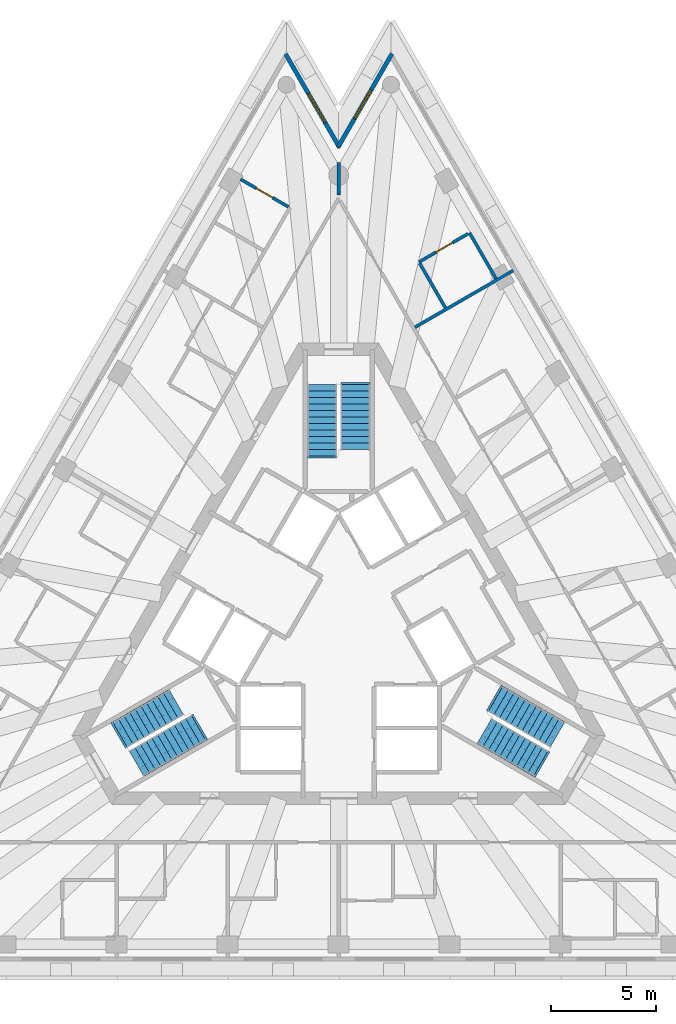
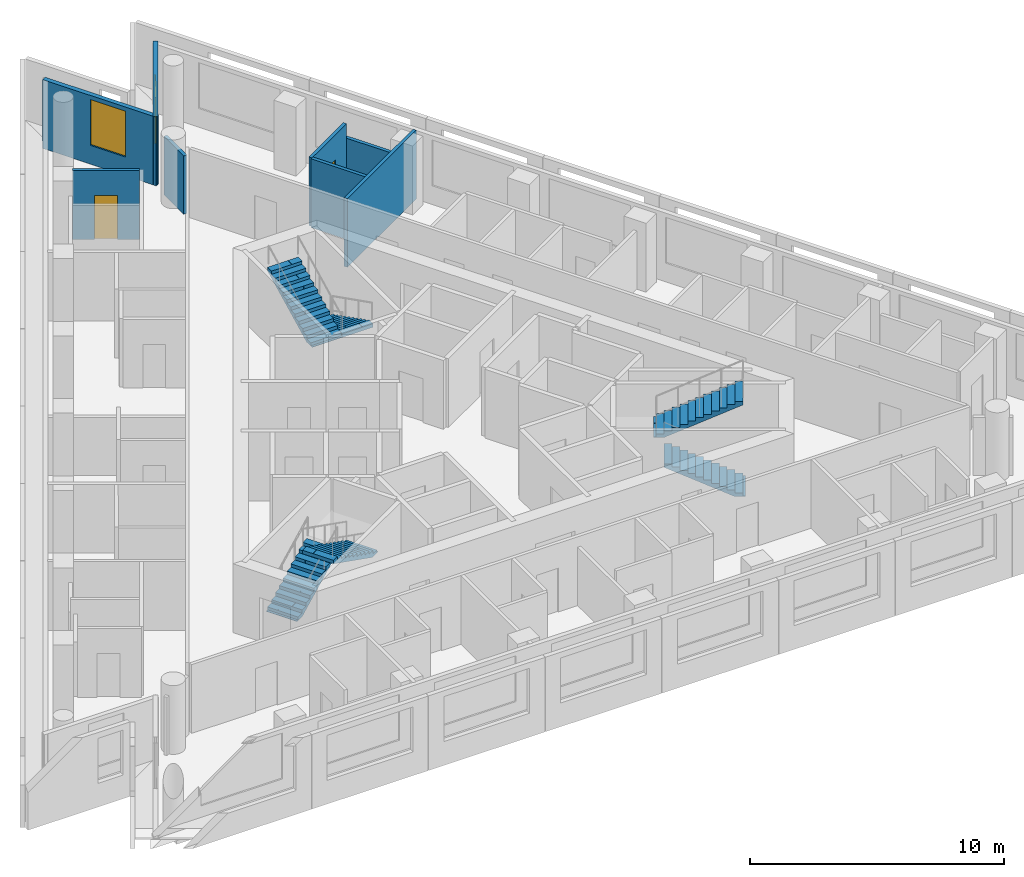
# One storey, part 8 of 11: 8 walls, 6 stair flights, 2 doors, 2 windows, 4 openings, 3 elements without a shape of their own.
"""IFC4 building model written with IfcOpenShell, lengths in metres."""

from ifc_helpers import new_model, si_unit, direction, frame, frame_2d, origin, place, context, subcontext, project, spatial, polyline, rectangle, outline, extrude, material, layer, layer_set, layer_usage, type_object, element, fill, aggregate, save


model = new_model("IFC4")

# Units and contexts
model_context = context("Model", 3, precision=1e-05, world=origin(), true_north=direction((0.0, 1.0)))
body_context = subcontext(model_context, "Body", "Model", "MODEL_VIEW")
ifc_project = project(units=[si_unit("LENGTHUNIT", "METRE"), si_unit("AREAUNIT", "SQUARE_METRE"), si_unit("VOLUMEUNIT", "CUBIC_METRE"), si_unit("PLANEANGLEUNIT", "RADIAN"), si_unit("MASSUNIT", "GRAM", prefix="KILO")], contexts=[model_context])

# Site, building, storey
site_placement = place(None, origin())
site = spatial("IfcSite", under=ifc_project, at=site_placement, CompositionType="ELEMENT")
building_placement = place(site_placement, origin())
building = spatial("IfcBuilding", under=site, at=building_placement, Name="Triada Interchange Tower", CompositionType="ELEMENT")
storey_placement = place(building_placement, frame((0.0, 0.0, 300.699951171875)))
storey = spatial("IfcBuildingStorey", under=building, at=storey_placement, Name="L71", CompositionType="ELEMENT", Elevation=300.699951171875)

# Wall, opening, window
ifc_material_1 = material(Name="Cement board")
ifc_layer_1 = layer(ifc_material_1, 0.02001953125, Name="Cement board cladding")
ifc_material_2 = material(Name="Sheathing board")
ifc_layer_2 = layer(ifc_material_2, 0.014892578125, Name="Sheathing board")
ifc_material_3 = material(Name="Mineral wool")
ifc_layer_3 = layer(ifc_material_3, 0.14990234375, Name="Mineral wool between steel studs")
ifc_material_4 = material(Name="Gypsum board")
ifc_layer_4 = layer(ifc_material_4, 0.014892578125, Name="Plasterboard lining")
ifc_layer_set_1 = layer_set([ifc_layer_1, ifc_layer_2, ifc_layer_3, ifc_layer_4], Name="External wall 200")
ifc_layer_usage = layer_usage(ifc_layer_set_1, "AXIS2", "POSITIVE", -0.10009765625)
wall_type_1 = type_object("IfcWallType", Name="External wall 200", PredefinedType="ELEMENTEDWALL", material=ifc_layer_set_1)
wall_1_placement = place(storey_placement, frame((2.54296875, 27.405029296875, 0.0), z_axis=(0.0, 0.0, 1.0), x_axis=(-0.49983036304, -0.866123321579, 0.0)))
wall_1 = element("IfcWall", 1, at=wall_1_placement, inside=storey, type_object=wall_type_1, material=ifc_layer_usage, Name="External wall L71 N-1", PredefinedType="ELEMENTEDWALL", context=body_context, shape_type="SweptSolid", body=[
    extrude(rectangle(XDim=5.157470703125, YDim=0.199951171875, at=frame_2d((2.57861328125, 0.0))), origin(), (0.0, 0.0, 1.0), 3.300048828125),
])
opening_1_placement = place(wall_1_placement, frame((1.989990234375, 0.0, 0.89990234375)))
opening_1 = element("IfcOpeningElement", 2, at=opening_1_placement, cuts=wall_1, Name="Opening WD29", PredefinedType="OPENING", context=body_context, shape_type="SweptSolid", body=[
    extrude(rectangle(XDim=1.60009765625, YDim=2.199951171875, at=frame_2d((0.800048828125, 1.10009765625))), frame((0.0, 0.10986328125, 0.0), z_axis=(0.0, -1.0, 0.0), x_axis=(1.0, 0.0, 0.0)), (0.0, 0.0, 1.0), 0.219970703125),
])
ifc_material_5 = material(Name="Double glazed aluminium window", Category="aluminium")
window_type = type_object("IfcWindowType", Name="Ribbon window D pocket", PartitioningType="SINGLE_PANEL", PredefinedType="WINDOW", material=ifc_material_5)
window_1_placement = place(opening_1_placement, origin())
window_1 = element("IfcWindow", 3, at=window_1_placement, inside=storey, type_object=window_type, Name="Window L71 N-1 1", OverallHeight=2.199951171875, OverallWidth=1.60009765625, PartitioningType="SINGLE_PANEL", PredefinedType="WINDOW", context=body_context, shape_type="SweptSolid", body=[
    extrude(rectangle(XDim=1.60009765625, YDim=2.199951171875, at=frame_2d((0.800048828125, 1.10009765625))), frame((0.0, 0.030029296875, 0.0), z_axis=(0.0, -1.0, 0.0), x_axis=(1.0, 0.0, 0.0)), (0.0, 0.0, 1.0), 0.06005859375),
])
fill(opening_1, window_1)

wall_2_placement = place(storey_placement, frame((0.044921875, 22.9208984375, 0.0), z_axis=(0.0, 0.0, 1.0), x_axis=(-0.49983036304, 0.866123321579, 0.0)))
wall_2 = element("IfcWall", 4, at=wall_2_placement, inside=storey, type_object=wall_type_1, material=ifc_layer_usage, Name="External wall L71 N-2", PredefinedType="ELEMENTEDWALL", context=body_context, shape_type="SweptSolid", body=[
    extrude(rectangle(XDim=5.157470703125, YDim=0.199951171875, at=frame_2d((2.57861328125, 0.0))), origin(), (0.0, 0.0, 1.0), 3.300048828125),
])
opening_2_placement = place(wall_2_placement, frame((1.389892578125, 0.0, 0.89990234375)))
opening_2 = element("IfcOpeningElement", 5, at=opening_2_placement, cuts=wall_2, Name="Opening WD30", PredefinedType="OPENING", context=body_context, shape_type="SweptSolid", body=[
    extrude(rectangle(XDim=1.60009765625, YDim=2.199951171875, at=frame_2d((0.800048828125, 1.10009765625))), frame((0.0, 0.10986328125, 0.0), z_axis=(0.0, -1.0, 0.0), x_axis=(1.0, 0.0, 0.0)), (0.0, 0.0, 1.0), 0.219970703125),
])
window_2_placement = place(opening_2_placement, origin())
window_2 = element("IfcWindow", 6, at=window_2_placement, inside=storey, type_object=window_type, Name="Window L71 N-2 1", OverallHeight=2.199951171875, OverallWidth=1.60009765625, PartitioningType="SINGLE_PANEL", PredefinedType="WINDOW", context=body_context, shape_type="SweptSolid", body=[
    extrude(rectangle(XDim=1.60009765625, YDim=2.199951171875, at=frame_2d((0.800048828125, 1.10009765625))), frame((0.0, 0.030029296875, 0.0), z_axis=(0.0, -1.0, 0.0), x_axis=(1.0, 0.0, 0.0)), (0.0, 0.0, 1.0), 0.06005859375),
])
fill(opening_2, window_2)

# Walls
ifc_material_6 = material(Name="Gypsum board partition")
ifc_layer_5 = layer(ifc_material_6, 0.14990234375)
ifc_layer_set_2 = layer_set([ifc_layer_5], Name="PARTITION 150 EI 180")
wall_type_2 = type_object("IfcWallType", Name="PARTITION 150 EI 180", PredefinedType="PARTITIONING", material=ifc_layer_set_2)
wall_3_placement = place(storey_placement, frame((0.0, 20.64990234375, 0.0), z_axis=(0.0, 0.0, 1.0), x_axis=(0.0, 1.0, 0.0)))
element("IfcWall", 7, at=wall_3_placement, inside=storey, type_object=wall_type_2, Name="Wall L71 13", PredefinedType="PARTITIONING", context=body_context, shape_type="SweptSolid", body=[
    extrude(rectangle(XDim=1.569091796875, YDim=0.14990234375, at=frame_2d((0.78466796875, 0.0))), origin(), (0.0, 0.0, 1.0), 2.800048828125),
])
wall_4_placement = place(storey_placement, frame((3.64111328125, 14.343994140625, 0.0), z_axis=(0.0, 0.0, 1.0), x_axis=(0.865995092734, 0.500052496605, 0.0)))
element("IfcWall", 8, at=wall_4_placement, inside=storey, type_object=wall_type_2, Name="Wall L71 15", PredefinedType="PARTITIONING", context=body_context, shape_type="SweptSolid", body=[
    extrude(rectangle(XDim=5.42138671875, YDim=0.14990234375, at=frame_2d((2.710693359375, 0.0))), origin(), (0.0, 0.0, 1.0), 3.300048828125),
])

# Wall, opening, door
ifc_layer_6 = layer(ifc_material_6, 0.14990234375)
ifc_layer_set_3 = layer_set([ifc_layer_6], Name="PARTITION 150 EI 90")
wall_type_3 = type_object("IfcWallType", Name="PARTITION 150 EI 90", PredefinedType="PARTITIONING", material=ifc_layer_set_3)
wall_5_placement = place(storey_placement, frame((-4.68505859375, 21.4130859375, 0.0), z_axis=(0.0, 0.0, 1.0), x_axis=(0.866065407652, -0.499930704866, 0.0)))
wall_5 = element("IfcWall", 9, at=wall_5_placement, inside=storey, type_object=wall_type_3, Name="Wall L71 50", PredefinedType="PARTITIONING", context=body_context, shape_type="SweptSolid", body=[
    extrude(rectangle(XDim=2.638427734375, YDim=0.14990234375, at=frame_2d((1.3193359375, 0.0))), origin(), (0.0, 0.0, 1.0), 3.300048828125),
])
opening_3_placement = place(wall_5_placement, frame((0.875, 0.0, 0.0)))
opening_3 = element("IfcOpeningElement", 10, at=opening_3_placement, cuts=wall_5, Name="Opening D71-38", PredefinedType="OPENING", context=body_context, shape_type="SweptSolid", body=[
    extrude(rectangle(XDim=0.89990234375, YDim=2.10009765625, at=frame_2d((0.449951171875, 1.050048828125))), frame((0.0, 0.0849609375, 0.0), z_axis=(0.0, -1.0, 0.0), x_axis=(1.0, 0.0, 0.0)), (0.0, 0.0, 1.0), 0.169921875),
])
ifc_material_7 = material(Name="Steel S235 door leaf", Category="steel")
door_type_1 = type_object("IfcDoorType", Name="SERVICE DOOR 900 EI2 45-C5S200", OperationType="NOTDEFINED", PredefinedType="DOOR", material=ifc_material_7)
door_1_placement = place(opening_3_placement, origin())
door_1 = element("IfcDoor", 11, at=door_1_placement, inside=storey, type_object=door_type_1, Name="Door D71-38 L71", OperationType="SINGLE_SWING_RIGHT", OverallHeight=2.10009765625, OverallWidth=0.89990234375, PredefinedType="DOOR", context=body_context, shape_type="SweptSolid", body=[
    extrude(rectangle(XDim=0.89990234375, YDim=2.10009765625, at=frame_2d((0.449951171875, 1.050048828125))), frame((0.0, 0.02490234375, 0.0), z_axis=(0.0, -1.0, 0.0), x_axis=(1.0, 0.0, 0.0)), (0.0, 0.0, 1.0), 0.050048828125),
])
fill(opening_3, door_1)

# Wall
wall_6_placement = place(storey_placement, frame((6.2490234375, 18.85302734375, 0.0), z_axis=(0.0, 0.0, 1.0), x_axis=(0.500079482444, -0.865979509711, 0.0)))
element("IfcWall", 12, at=wall_6_placement, inside=storey, type_object=wall_type_3, Name="Wall L71 57", PredefinedType="PARTITIONING", context=body_context, shape_type="SweptSolid", body=[
    extrude(rectangle(XDim=2.525390625, YDim=0.14990234375, at=frame_2d((1.2626953125, 0.0))), origin(), (0.0, 0.0, 1.0), 2.60009765625),
])

# Wall, opening, door
wall_7_placement = place(storey_placement, frame((3.8349609375, 17.4580078125, 0.0), z_axis=(0.0, 0.0, 1.0), x_axis=(0.866008795918, 0.500028764566, 0.0)))
wall_7 = element("IfcWall", 13, at=wall_7_placement, inside=storey, type_object=wall_type_3, Name="Wall L71 59", PredefinedType="PARTITIONING", context=body_context, shape_type="SweptSolid", body=[
    extrude(rectangle(XDim=2.713623046875, YDim=0.14990234375, at=frame_2d((1.35693359375, 0.0))), origin(), (0.0, 0.0, 1.0), 3.300048828125),
])
opening_4_placement = place(wall_7_placement, frame((0.949951171875, 0.0, 0.0)))
opening_4 = element("IfcOpeningElement", 14, at=opening_4_placement, cuts=wall_7, Name="Opening D71-35", PredefinedType="OPENING", context=body_context, shape_type="SweptSolid", body=[
    extrude(rectangle(XDim=0.89990234375, YDim=2.10009765625, at=frame_2d((0.449951171875, 1.050048828125))), frame((0.0, 0.0849609375, 0.0), z_axis=(0.0, -1.0, 0.0), x_axis=(1.0, 0.0, 0.0)), (0.0, 0.0, 1.0), 0.169921875),
])
door_type_2 = type_object("IfcDoorType", Name="ROOM DOOR 900 EI2 45-C5S200", OperationType="NOTDEFINED", PredefinedType="DOOR", material=ifc_material_7)
door_2_placement = place(opening_4_placement, origin())
door_2 = element("IfcDoor", 15, at=door_2_placement, inside=storey, type_object=door_type_2, Name="Door D71-35 L71", OperationType="SINGLE_SWING_LEFT", OverallHeight=2.10009765625, OverallWidth=0.89990234375, PredefinedType="DOOR", context=body_context, shape_type="SweptSolid", body=[
    extrude(rectangle(XDim=0.89990234375, YDim=2.10009765625, at=frame_2d((0.449951171875, 1.050048828125))), frame((0.0, 0.02490234375, 0.0), z_axis=(0.0, -1.0, 0.0), x_axis=(1.0, 0.0, 0.0)), (0.0, 0.0, 1.0), 0.050048828125),
])
fill(opening_4, door_2)

# Wall
wall_8_placement = place(storey_placement, frame((3.8720703125, 17.39306640625, 0.0), z_axis=(0.0, 0.0, 1.0), x_axis=(0.500073324283, -0.865983065851, 0.0)))
element("IfcWall", 16, at=wall_8_placement, inside=storey, type_object=wall_type_3, Name="Wall L71 60", PredefinedType="PARTITIONING", context=body_context, shape_type="SweptSolid", body=[
    extrude(rectangle(XDim=2.449462890625, YDim=0.14990234375, at=frame_2d((1.224609375, 0.0))), origin(), (0.0, 0.0, 1.0), 3.300048828125),
])

# Stair, stair flights
ifc_material_8 = material(Name="Concrete C35/45", Category="concrete")
stair_type = type_object("IfcStairType", Name="HALF TURN STAIR 1400", PredefinedType="HALF_TURN_STAIR", material=ifc_material_8)
stair_1_placement = place(storey_placement, origin())
stair_1 = element("IfcStair", 17, at=stair_1_placement, inside=storey, type_object=stair_type, Name="Exit stair S71-1", PredefinedType="HALF_TURN_STAIR")
stair_flight_type = type_object("IfcStairFlightType", Name="STRAIGHT STAIR FLIGHT 1400", PredefinedType="STRAIGHT", material=ifc_material_8)
stair_flight_1_placement = place(storey_placement, frame((0.800048828125, 11.60009765625, 0.0), z_axis=(0.0, 0.0, 1.0), x_axis=(0.0, -1.0, 0.0)))
stair_flight_1 = element("IfcStairFlight", 18, at=stair_flight_1_placement, type_object=stair_flight_type, Name="S71-1 flight 1", NumberOfRisers=11, NumberOfTreads=10, PredefinedType="STRAIGHT", RiserHeight=0.15652, TreadLength=0.31, context=body_context, shape_type="SweptSolid", body=[
    extrude(outline(polyline([(-0.10009765625, 0.0), (-0.10009765625, 0.02001953125), (0.0, 0.02001953125), (0.0, 0.156494140625), (0.31005859375, 0.156494140625), (0.31005859375, 0.31298828125), (0.6201171875, 0.31298828125), (0.6201171875, 0.469482421875), (0.929931640625, 0.469482421875), (0.929931640625, 0.6259765625), (1.239990234375, 0.6259765625), (1.239990234375, 0.78271484375), (1.550048828125, 0.78271484375), (1.550048828125, 0.939208984375), (1.860107421875, 0.939208984375), (1.860107421875, 1.095703125), (2.169921875, 1.095703125), (2.169921875, 1.252197265625), (2.47998046875, 1.252197265625), (2.47998046875, 1.40869140625), (2.7900390625, 1.40869140625), (2.7900390625, 1.565185546875), (3.10009765625, 1.565185546875), (3.10400390625, 1.565185546875), (3.10400390625, 1.7216796875), (3.10400390625, 1.397216796875), (0.33251953125, 0.0), (-0.10009765625, 0.0)])), frame((0.0, 0.699951171875, 0.0), z_axis=(0.0, -1.0, 0.0), x_axis=(1.0, 0.0, 0.0)), (0.0, 0.0, 1.0), 0.46533203125),
    extrude(outline(polyline([(-0.10009765625, 0.0), (-0.10009765625, 0.02001953125), (0.0, 0.02001953125), (0.0, 0.156494140625), (0.31005859375, 0.156494140625), (0.31005859375, 0.31298828125), (0.6201171875, 0.31298828125), (0.6201171875, 0.469482421875), (0.929931640625, 0.469482421875), (0.929931640625, 0.6259765625), (1.239990234375, 0.6259765625), (1.239990234375, 0.78271484375), (1.550048828125, 0.78271484375), (1.550048828125, 0.939208984375), (1.860107421875, 0.939208984375), (1.860107421875, 1.095703125), (2.169921875, 1.095703125), (2.169921875, 1.252197265625), (2.47998046875, 1.252197265625), (2.47998046875, 1.40869140625), (2.7900390625, 1.40869140625), (2.7900390625, 1.565185546875), (3.10009765625, 1.565185546875), (3.10400390625, 1.565185546875), (3.10400390625, 1.7216796875), (3.10400390625, 1.397216796875), (0.33251953125, 0.0), (-0.10009765625, 0.0)])), frame((0.0, 0.232666015625, 0.0), z_axis=(0.0, -1.0, 0.0), x_axis=(1.0, 0.0, 0.0)), (0.0, 0.0, 1.0), 0.46533203125),
    extrude(outline(polyline([(-0.10009765625, 0.0), (-0.10009765625, 0.02001953125), (0.0, 0.02001953125), (0.0, 0.156494140625), (0.31005859375, 0.156494140625), (0.31005859375, 0.31298828125), (0.6201171875, 0.31298828125), (0.6201171875, 0.469482421875), (0.929931640625, 0.469482421875), (0.929931640625, 0.6259765625), (1.239990234375, 0.6259765625), (1.239990234375, 0.78271484375), (1.550048828125, 0.78271484375), (1.550048828125, 0.939208984375), (1.860107421875, 0.939208984375), (1.860107421875, 1.095703125), (2.169921875, 1.095703125), (2.169921875, 1.252197265625), (2.47998046875, 1.252197265625), (2.47998046875, 1.40869140625), (2.7900390625, 1.40869140625), (2.7900390625, 1.565185546875), (3.10009765625, 1.565185546875), (3.10400390625, 1.565185546875), (3.10400390625, 1.7216796875), (3.10400390625, 1.397216796875), (0.33251953125, 0.0), (-0.10009765625, 0.0)])), frame((0.0, -0.234619140625, 0.0), z_axis=(0.0, -1.0, 0.0), x_axis=(1.0, 0.0, 0.0)), (0.0, 0.0, 1.0), 0.46533203125),
])
stair_flight_2_placement = place(storey_placement, frame((-0.800048828125, 8.18994140625, 1.7216796875), z_axis=(0.0, 0.0, 1.0), x_axis=(0.0, 1.0, 0.0)))
stair_flight_2 = element("IfcStairFlight", 19, at=stair_flight_2_placement, type_object=stair_flight_type, Name="S71-1 flight 2", NumberOfRisers=12, NumberOfTreads=11, PredefinedType="STRAIGHT", RiserHeight=0.15652, TreadLength=0.31, context=body_context, shape_type="SweptSolid", body=[
    extrude(outline(polyline([(-0.10009765625, 0.0), (-0.10009765625, 0.02001953125), (0.0, 0.02001953125), (0.0, 0.156494140625), (0.31005859375, 0.156494140625), (0.31005859375, 0.31298828125), (0.6201171875, 0.31298828125), (0.6201171875, 0.469482421875), (0.929931640625, 0.469482421875), (0.929931640625, 0.6259765625), (1.239990234375, 0.6259765625), (1.239990234375, 0.78271484375), (1.550048828125, 0.78271484375), (1.550048828125, 0.939208984375), (1.860107421875, 0.939208984375), (1.860107421875, 1.095703125), (2.169921875, 1.095703125), (2.169921875, 1.252197265625), (2.47998046875, 1.252197265625), (2.47998046875, 1.40869140625), (2.7900390625, 1.40869140625), (2.7900390625, 1.565185546875), (3.10009765625, 1.565185546875), (3.10009765625, 1.7216796875), (3.409912109375, 1.7216796875), (3.4140625, 1.7216796875), (3.4140625, 1.878173828125), (3.4140625, 1.5537109375), (0.33251953125, 0.0), (-0.10009765625, 0.0)])), frame((0.0, 0.699951171875, 0.0), z_axis=(0.0, -1.0, 0.0), x_axis=(1.0, 0.0, 0.0)), (0.0, 0.0, 1.0), 0.46533203125),
    extrude(outline(polyline([(-0.10009765625, 0.0), (-0.10009765625, 0.02001953125), (0.0, 0.02001953125), (0.0, 0.156494140625), (0.31005859375, 0.156494140625), (0.31005859375, 0.31298828125), (0.6201171875, 0.31298828125), (0.6201171875, 0.469482421875), (0.929931640625, 0.469482421875), (0.929931640625, 0.6259765625), (1.239990234375, 0.6259765625), (1.239990234375, 0.78271484375), (1.550048828125, 0.78271484375), (1.550048828125, 0.939208984375), (1.860107421875, 0.939208984375), (1.860107421875, 1.095703125), (2.169921875, 1.095703125), (2.169921875, 1.252197265625), (2.47998046875, 1.252197265625), (2.47998046875, 1.40869140625), (2.7900390625, 1.40869140625), (2.7900390625, 1.565185546875), (3.10009765625, 1.565185546875), (3.10009765625, 1.7216796875), (3.409912109375, 1.7216796875), (3.4140625, 1.7216796875), (3.4140625, 1.878173828125), (3.4140625, 1.5537109375), (0.33251953125, 0.0), (-0.10009765625, 0.0)])), frame((0.0, 0.232666015625, 0.0), z_axis=(0.0, -1.0, 0.0), x_axis=(1.0, 0.0, 0.0)), (0.0, 0.0, 1.0), 0.46533203125),
    extrude(outline(polyline([(-0.10009765625, 0.0), (-0.10009765625, 0.02001953125), (0.0, 0.02001953125), (0.0, 0.156494140625), (0.31005859375, 0.156494140625), (0.31005859375, 0.31298828125), (0.6201171875, 0.31298828125), (0.6201171875, 0.469482421875), (0.929931640625, 0.469482421875), (0.929931640625, 0.6259765625), (1.239990234375, 0.6259765625), (1.239990234375, 0.78271484375), (1.550048828125, 0.78271484375), (1.550048828125, 0.939208984375), (1.860107421875, 0.939208984375), (1.860107421875, 1.095703125), (2.169921875, 1.095703125), (2.169921875, 1.252197265625), (2.47998046875, 1.252197265625), (2.47998046875, 1.40869140625), (2.7900390625, 1.40869140625), (2.7900390625, 1.565185546875), (3.10009765625, 1.565185546875), (3.10009765625, 1.7216796875), (3.409912109375, 1.7216796875), (3.4140625, 1.7216796875), (3.4140625, 1.878173828125), (3.4140625, 1.5537109375), (0.33251953125, 0.0), (-0.10009765625, 0.0)])), frame((0.0, -0.234619140625, 0.0), z_axis=(0.0, -1.0, 0.0), x_axis=(1.0, 0.0, 0.0)), (0.0, 0.0, 1.0), 0.46533203125),
])
aggregate(stair_1, [stair_flight_1, stair_flight_2])

stair_2_placement = place(storey_placement, origin())
stair_2 = element("IfcStair", 20, at=stair_2_placement, inside=storey, type_object=stair_type, Name="Exit stair S71-2", PredefinedType="HALF_TURN_STAIR")
stair_flight_3_placement = place(storey_placement, frame((-10.446044921875, -5.10693359375, 0.0), z_axis=(0.0, 0.0, 1.0), x_axis=(0.866025403784, 0.5, 0.0)))
stair_flight_3 = element("IfcStairFlight", 21, at=stair_flight_3_placement, type_object=stair_flight_type, Name="S71-2 flight 1", NumberOfRisers=11, NumberOfTreads=10, PredefinedType="STRAIGHT", RiserHeight=0.15652, TreadLength=0.31, context=body_context, shape_type="SweptSolid", body=[
    extrude(outline(polyline([(-0.10009765625, 0.0), (-0.10009765625, 0.02001953125), (0.0, 0.02001953125), (0.0, 0.156494140625), (0.31005859375, 0.156494140625), (0.31005859375, 0.31298828125), (0.6201171875, 0.31298828125), (0.6201171875, 0.469482421875), (0.929931640625, 0.469482421875), (0.929931640625, 0.6259765625), (1.239990234375, 0.6259765625), (1.239990234375, 0.78271484375), (1.550048828125, 0.78271484375), (1.550048828125, 0.939208984375), (1.860107421875, 0.939208984375), (1.860107421875, 1.095703125), (2.169921875, 1.095703125), (2.169921875, 1.252197265625), (2.47998046875, 1.252197265625), (2.47998046875, 1.40869140625), (2.7900390625, 1.40869140625), (2.7900390625, 1.565185546875), (3.10009765625, 1.565185546875), (3.10400390625, 1.565185546875), (3.10400390625, 1.7216796875), (3.10400390625, 1.397216796875), (0.33251953125, 0.0), (-0.10009765625, 0.0)])), frame((0.0, 0.699951171875, 0.0), z_axis=(0.0, -1.0, 0.0), x_axis=(1.0, 0.0, 0.0)), (0.0, 0.0, 1.0), 0.46533203125),
    extrude(outline(polyline([(-0.10009765625, 0.0), (-0.10009765625, 0.02001953125), (0.0, 0.02001953125), (0.0, 0.156494140625), (0.31005859375, 0.156494140625), (0.31005859375, 0.31298828125), (0.6201171875, 0.31298828125), (0.6201171875, 0.469482421875), (0.929931640625, 0.469482421875), (0.929931640625, 0.6259765625), (1.239990234375, 0.6259765625), (1.239990234375, 0.78271484375), (1.550048828125, 0.78271484375), (1.550048828125, 0.939208984375), (1.860107421875, 0.939208984375), (1.860107421875, 1.095703125), (2.169921875, 1.095703125), (2.169921875, 1.252197265625), (2.47998046875, 1.252197265625), (2.47998046875, 1.40869140625), (2.7900390625, 1.40869140625), (2.7900390625, 1.565185546875), (3.10009765625, 1.565185546875), (3.10400390625, 1.565185546875), (3.10400390625, 1.7216796875), (3.10400390625, 1.397216796875), (0.33251953125, 0.0), (-0.10009765625, 0.0)])), frame((0.0, 0.232666015625, 0.0), z_axis=(0.0, -1.0, 0.0), x_axis=(1.0, 0.0, 0.0)), (0.0, 0.0, 1.0), 0.46533203125),
    extrude(outline(polyline([(-0.10009765625, 0.0), (-0.10009765625, 0.02001953125), (0.0, 0.02001953125), (0.0, 0.156494140625), (0.31005859375, 0.156494140625), (0.31005859375, 0.31298828125), (0.6201171875, 0.31298828125), (0.6201171875, 0.469482421875), (0.929931640625, 0.469482421875), (0.929931640625, 0.6259765625), (1.239990234375, 0.6259765625), (1.239990234375, 0.78271484375), (1.550048828125, 0.78271484375), (1.550048828125, 0.939208984375), (1.860107421875, 0.939208984375), (1.860107421875, 1.095703125), (2.169921875, 1.095703125), (2.169921875, 1.252197265625), (2.47998046875, 1.252197265625), (2.47998046875, 1.40869140625), (2.7900390625, 1.40869140625), (2.7900390625, 1.565185546875), (3.10009765625, 1.565185546875), (3.10400390625, 1.565185546875), (3.10400390625, 1.7216796875), (3.10400390625, 1.397216796875), (0.33251953125, 0.0), (-0.10009765625, 0.0)])), frame((0.0, -0.234619140625, 0.0), z_axis=(0.0, -1.0, 0.0), x_axis=(1.0, 0.0, 0.0)), (0.0, 0.0, 1.0), 0.46533203125),
])
stair_flight_4_placement = place(storey_placement, frame((-6.693115234375, -4.7880859375, 1.7216796875), z_axis=(0.0, 0.0, 1.0), x_axis=(-0.866025403784, -0.5, 0.0)))
stair_flight_4 = element("IfcStairFlight", 22, at=stair_flight_4_placement, type_object=stair_flight_type, Name="S71-2 flight 2", NumberOfRisers=12, NumberOfTreads=11, PredefinedType="STRAIGHT", RiserHeight=0.15652, TreadLength=0.31, context=body_context, shape_type="SweptSolid", body=[
    extrude(outline(polyline([(-0.10009765625, 0.0), (-0.10009765625, 0.02001953125), (0.0, 0.02001953125), (0.0, 0.156494140625), (0.31005859375, 0.156494140625), (0.31005859375, 0.31298828125), (0.6201171875, 0.31298828125), (0.6201171875, 0.469482421875), (0.929931640625, 0.469482421875), (0.929931640625, 0.6259765625), (1.239990234375, 0.6259765625), (1.239990234375, 0.78271484375), (1.550048828125, 0.78271484375), (1.550048828125, 0.939208984375), (1.860107421875, 0.939208984375), (1.860107421875, 1.095703125), (2.169921875, 1.095703125), (2.169921875, 1.252197265625), (2.47998046875, 1.252197265625), (2.47998046875, 1.40869140625), (2.7900390625, 1.40869140625), (2.7900390625, 1.565185546875), (3.10009765625, 1.565185546875), (3.10009765625, 1.7216796875), (3.409912109375, 1.7216796875), (3.4140625, 1.7216796875), (3.4140625, 1.878173828125), (3.4140625, 1.5537109375), (0.33251953125, 0.0), (-0.10009765625, 0.0)])), frame((0.0, 0.699951171875, 0.0), z_axis=(0.0, -1.0, 0.0), x_axis=(1.0, 0.0, 0.0)), (0.0, 0.0, 1.0), 0.46533203125),
    extrude(outline(polyline([(-0.10009765625, 0.0), (-0.10009765625, 0.02001953125), (0.0, 0.02001953125), (0.0, 0.156494140625), (0.31005859375, 0.156494140625), (0.31005859375, 0.31298828125), (0.6201171875, 0.31298828125), (0.6201171875, 0.469482421875), (0.929931640625, 0.469482421875), (0.929931640625, 0.6259765625), (1.239990234375, 0.6259765625), (1.239990234375, 0.78271484375), (1.550048828125, 0.78271484375), (1.550048828125, 0.939208984375), (1.860107421875, 0.939208984375), (1.860107421875, 1.095703125), (2.169921875, 1.095703125), (2.169921875, 1.252197265625), (2.47998046875, 1.252197265625), (2.47998046875, 1.40869140625), (2.7900390625, 1.40869140625), (2.7900390625, 1.565185546875), (3.10009765625, 1.565185546875), (3.10009765625, 1.7216796875), (3.409912109375, 1.7216796875), (3.4140625, 1.7216796875), (3.4140625, 1.878173828125), (3.4140625, 1.5537109375), (0.33251953125, 0.0), (-0.10009765625, 0.0)])), frame((0.0, 0.232666015625, 0.0), z_axis=(0.0, -1.0, 0.0), x_axis=(1.0, 0.0, 0.0)), (0.0, 0.0, 1.0), 0.46533203125),
    extrude(outline(polyline([(-0.10009765625, 0.0), (-0.10009765625, 0.02001953125), (0.0, 0.02001953125), (0.0, 0.156494140625), (0.31005859375, 0.156494140625), (0.31005859375, 0.31298828125), (0.6201171875, 0.31298828125), (0.6201171875, 0.469482421875), (0.929931640625, 0.469482421875), (0.929931640625, 0.6259765625), (1.239990234375, 0.6259765625), (1.239990234375, 0.78271484375), (1.550048828125, 0.78271484375), (1.550048828125, 0.939208984375), (1.860107421875, 0.939208984375), (1.860107421875, 1.095703125), (2.169921875, 1.095703125), (2.169921875, 1.252197265625), (2.47998046875, 1.252197265625), (2.47998046875, 1.40869140625), (2.7900390625, 1.40869140625), (2.7900390625, 1.565185546875), (3.10009765625, 1.565185546875), (3.10009765625, 1.7216796875), (3.409912109375, 1.7216796875), (3.4140625, 1.7216796875), (3.4140625, 1.878173828125), (3.4140625, 1.5537109375), (0.33251953125, 0.0), (-0.10009765625, 0.0)])), frame((0.0, -0.234619140625, 0.0), z_axis=(0.0, -1.0, 0.0), x_axis=(1.0, 0.0, 0.0)), (0.0, 0.0, 1.0), 0.46533203125),
])
aggregate(stair_2, [stair_flight_3, stair_flight_4])

stair_3_placement = place(storey_placement, origin())
stair_3 = element("IfcStair", 23, at=stair_3_placement, inside=storey, type_object=stair_type, Name="Exit stair S71-3", PredefinedType="HALF_TURN_STAIR")
stair_flight_5_placement = place(storey_placement, frame((9.64599609375, -6.492919921875, 0.0), z_axis=(0.0, 0.0, 1.0), x_axis=(-0.866025403784, 0.5, 0.0)))
stair_flight_5 = element("IfcStairFlight", 24, at=stair_flight_5_placement, type_object=stair_flight_type, Name="S71-3 flight 1", NumberOfRisers=11, NumberOfTreads=10, PredefinedType="STRAIGHT", RiserHeight=0.15652, TreadLength=0.31, context=body_context, shape_type="SweptSolid", body=[
    extrude(outline(polyline([(-0.10009765625, 0.0), (-0.10009765625, 0.02001953125), (0.0, 0.02001953125), (0.0, 0.156494140625), (0.31005859375, 0.156494140625), (0.31005859375, 0.31298828125), (0.6201171875, 0.31298828125), (0.6201171875, 0.469482421875), (0.929931640625, 0.469482421875), (0.929931640625, 0.6259765625), (1.239990234375, 0.6259765625), (1.239990234375, 0.78271484375), (1.550048828125, 0.78271484375), (1.550048828125, 0.939208984375), (1.860107421875, 0.939208984375), (1.860107421875, 1.095703125), (2.169921875, 1.095703125), (2.169921875, 1.252197265625), (2.47998046875, 1.252197265625), (2.47998046875, 1.40869140625), (2.7900390625, 1.40869140625), (2.7900390625, 1.565185546875), (3.10009765625, 1.565185546875), (3.10400390625, 1.565185546875), (3.10400390625, 1.7216796875), (3.10400390625, 1.397216796875), (0.33251953125, 0.0), (-0.10009765625, 0.0)])), frame((0.0, 0.699951171875, 0.0), z_axis=(0.0, -1.0, 0.0), x_axis=(1.0, 0.0, 0.0)), (0.0, 0.0, 1.0), 0.46533203125),
    extrude(outline(polyline([(-0.10009765625, 0.0), (-0.10009765625, 0.02001953125), (0.0, 0.02001953125), (0.0, 0.156494140625), (0.31005859375, 0.156494140625), (0.31005859375, 0.31298828125), (0.6201171875, 0.31298828125), (0.6201171875, 0.469482421875), (0.929931640625, 0.469482421875), (0.929931640625, 0.6259765625), (1.239990234375, 0.6259765625), (1.239990234375, 0.78271484375), (1.550048828125, 0.78271484375), (1.550048828125, 0.939208984375), (1.860107421875, 0.939208984375), (1.860107421875, 1.095703125), (2.169921875, 1.095703125), (2.169921875, 1.252197265625), (2.47998046875, 1.252197265625), (2.47998046875, 1.40869140625), (2.7900390625, 1.40869140625), (2.7900390625, 1.565185546875), (3.10009765625, 1.565185546875), (3.10400390625, 1.565185546875), (3.10400390625, 1.7216796875), (3.10400390625, 1.397216796875), (0.33251953125, 0.0), (-0.10009765625, 0.0)])), frame((0.0, 0.232666015625, 0.0), z_axis=(0.0, -1.0, 0.0), x_axis=(1.0, 0.0, 0.0)), (0.0, 0.0, 1.0), 0.46533203125),
    extrude(outline(polyline([(-0.10009765625, 0.0), (-0.10009765625, 0.02001953125), (0.0, 0.02001953125), (0.0, 0.156494140625), (0.31005859375, 0.156494140625), (0.31005859375, 0.31298828125), (0.6201171875, 0.31298828125), (0.6201171875, 0.469482421875), (0.929931640625, 0.469482421875), (0.929931640625, 0.6259765625), (1.239990234375, 0.6259765625), (1.239990234375, 0.78271484375), (1.550048828125, 0.78271484375), (1.550048828125, 0.939208984375), (1.860107421875, 0.939208984375), (1.860107421875, 1.095703125), (2.169921875, 1.095703125), (2.169921875, 1.252197265625), (2.47998046875, 1.252197265625), (2.47998046875, 1.40869140625), (2.7900390625, 1.40869140625), (2.7900390625, 1.565185546875), (3.10009765625, 1.565185546875), (3.10400390625, 1.565185546875), (3.10400390625, 1.7216796875), (3.10400390625, 1.397216796875), (0.33251953125, 0.0), (-0.10009765625, 0.0)])), frame((0.0, -0.234619140625, 0.0), z_axis=(0.0, -1.0, 0.0), x_axis=(1.0, 0.0, 0.0)), (0.0, 0.0, 1.0), 0.46533203125),
])
stair_flight_6_placement = place(storey_placement, frame((7.492919921875, -3.402099609375, 1.7216796875), z_axis=(0.0, 0.0, 1.0), x_axis=(0.866025403784, -0.5, 0.0)))
stair_flight_6 = element("IfcStairFlight", 25, at=stair_flight_6_placement, type_object=stair_flight_type, Name="S71-3 flight 2", NumberOfRisers=12, NumberOfTreads=11, PredefinedType="STRAIGHT", RiserHeight=0.15652, TreadLength=0.31, context=body_context, shape_type="SweptSolid", body=[
    extrude(outline(polyline([(-0.10009765625, 0.0), (-0.10009765625, 0.02001953125), (0.0, 0.02001953125), (0.0, 0.156494140625), (0.31005859375, 0.156494140625), (0.31005859375, 0.31298828125), (0.6201171875, 0.31298828125), (0.6201171875, 0.469482421875), (0.929931640625, 0.469482421875), (0.929931640625, 0.6259765625), (1.239990234375, 0.6259765625), (1.239990234375, 0.78271484375), (1.550048828125, 0.78271484375), (1.550048828125, 0.939208984375), (1.860107421875, 0.939208984375), (1.860107421875, 1.095703125), (2.169921875, 1.095703125), (2.169921875, 1.252197265625), (2.47998046875, 1.252197265625), (2.47998046875, 1.40869140625), (2.7900390625, 1.40869140625), (2.7900390625, 1.565185546875), (3.10009765625, 1.565185546875), (3.10009765625, 1.7216796875), (3.409912109375, 1.7216796875), (3.4140625, 1.7216796875), (3.4140625, 1.878173828125), (3.4140625, 1.5537109375), (0.33251953125, 0.0), (-0.10009765625, 0.0)])), frame((0.0, 0.699951171875, 0.0), z_axis=(0.0, -1.0, 0.0), x_axis=(1.0, 0.0, 0.0)), (0.0, 0.0, 1.0), 0.46533203125),
    extrude(outline(polyline([(-0.10009765625, 0.0), (-0.10009765625, 0.02001953125), (0.0, 0.02001953125), (0.0, 0.156494140625), (0.31005859375, 0.156494140625), (0.31005859375, 0.31298828125), (0.6201171875, 0.31298828125), (0.6201171875, 0.469482421875), (0.929931640625, 0.469482421875), (0.929931640625, 0.6259765625), (1.239990234375, 0.6259765625), (1.239990234375, 0.78271484375), (1.550048828125, 0.78271484375), (1.550048828125, 0.939208984375), (1.860107421875, 0.939208984375), (1.860107421875, 1.095703125), (2.169921875, 1.095703125), (2.169921875, 1.252197265625), (2.47998046875, 1.252197265625), (2.47998046875, 1.40869140625), (2.7900390625, 1.40869140625), (2.7900390625, 1.565185546875), (3.10009765625, 1.565185546875), (3.10009765625, 1.7216796875), (3.409912109375, 1.7216796875), (3.4140625, 1.7216796875), (3.4140625, 1.878173828125), (3.4140625, 1.5537109375), (0.33251953125, 0.0), (-0.10009765625, 0.0)])), frame((0.0, 0.232666015625, 0.0), z_axis=(0.0, -1.0, 0.0), x_axis=(1.0, 0.0, 0.0)), (0.0, 0.0, 1.0), 0.46533203125),
    extrude(outline(polyline([(-0.10009765625, 0.0), (-0.10009765625, 0.02001953125), (0.0, 0.02001953125), (0.0, 0.156494140625), (0.31005859375, 0.156494140625), (0.31005859375, 0.31298828125), (0.6201171875, 0.31298828125), (0.6201171875, 0.469482421875), (0.929931640625, 0.469482421875), (0.929931640625, 0.6259765625), (1.239990234375, 0.6259765625), (1.239990234375, 0.78271484375), (1.550048828125, 0.78271484375), (1.550048828125, 0.939208984375), (1.860107421875, 0.939208984375), (1.860107421875, 1.095703125), (2.169921875, 1.095703125), (2.169921875, 1.252197265625), (2.47998046875, 1.252197265625), (2.47998046875, 1.40869140625), (2.7900390625, 1.40869140625), (2.7900390625, 1.565185546875), (3.10009765625, 1.565185546875), (3.10009765625, 1.7216796875), (3.409912109375, 1.7216796875), (3.4140625, 1.7216796875), (3.4140625, 1.878173828125), (3.4140625, 1.5537109375), (0.33251953125, 0.0), (-0.10009765625, 0.0)])), frame((0.0, -0.234619140625, 0.0), z_axis=(0.0, -1.0, 0.0), x_axis=(1.0, 0.0, 0.0)), (0.0, 0.0, 1.0), 0.46533203125),
])
aggregate(stair_3, [stair_flight_5, stair_flight_6])

save(model, "model.ifc")
